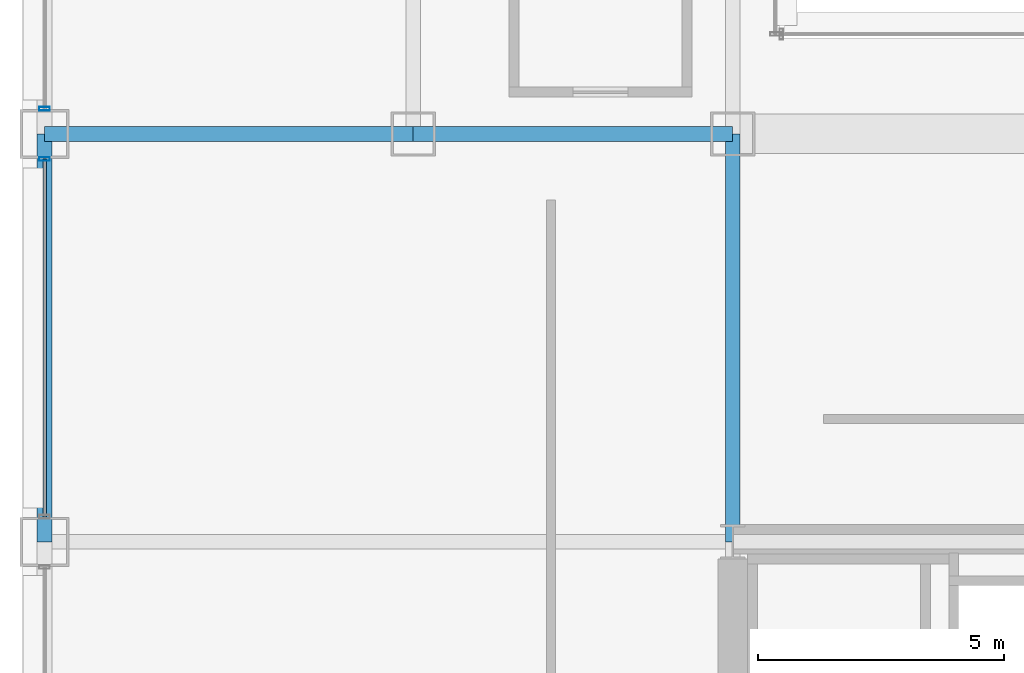
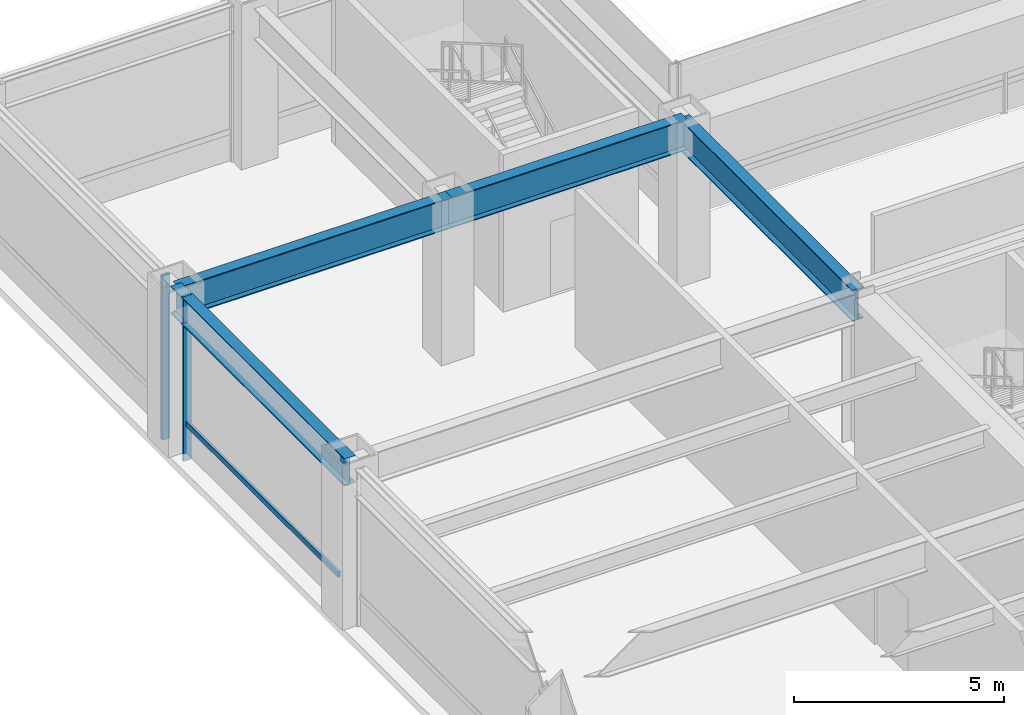
# One storey, part 15 of 37: 4 beams, 3 members, 2 elements without a shape of their own.
"""IFC4 building model written with IfcOpenShell, lengths in metres."""

import ifcopenshell
import ifcopenshell.guid

model = None  # the IFC model being written
_history = None  # IfcOwnerHistory: only IFC2X3 demands one
_inside = {}  # id of a spatial element -> (the spatial element, [elements in it])
_under = {}  # id of a project, library or spatial element -> (it, [spatial elements below it])
_declared = {}  # id of a project -> (the project, [libraries it declares])
_typed = {}  # id of a type object -> (the type object, [elements of that type])
_made_of = {}  # id of a material, layer set ... -> (it, [elements and type objects made of it])


def new_model(schema):
    """Start an empty IFC model of exactly this schema.

    Asked for "IFC4X3", IfcOpenShell would pick the latest addendum, in which some entities
    have other attributes; the version numbers below select the first issue.
    IFC2X3 requires an IfcOwnerHistory on every rooted entity: one is made here for all.
    """
    global model, _history
    if schema == "IFC4X3":
        model = ifcopenshell.file(schema_version=(4, 3, 0, 0))
    else:
        model = ifcopenshell.file(schema=schema)
    _inside.clear()
    _under.clear()
    _declared.clear()
    _typed.clear()
    _made_of.clear()
    _history = None
    if model.schema == "IFC2X3":
        org = make("IfcOrganization", Name="unknown")
        user = make(
            "IfcPersonAndOrganization",
            ThePerson=make("IfcPerson", FamilyName="unknown"),
            TheOrganization=org,
        )
        app = make(
            "IfcApplication",
            ApplicationDeveloper=org,
            Version="unknown",
            ApplicationFullName="unknown",
            ApplicationIdentifier="unknown",
        )
        _history = make(
            "IfcOwnerHistory",
            OwningUser=user,
            OwningApplication=app,
            ChangeAction="ADDED",
            CreationDate=0,
        )
    return model


def make(cls, **values):
    """One entity of the class cls with the attributes given. An attribute that is None is left unset."""
    return model.create_entity(
        cls, **{name: value for name, value in values.items() if value is not None}
    )


def rooted(cls, **values):
    """An entity with a GlobalId (a new one), such as an element, a storey or a relation."""
    return make(cls, GlobalId=ifcopenshell.guid.new(), OwnerHistory=_history, **values)


def si_unit(unit_type, name, prefix=None):
    """IfcSIUnit, for example si_unit("LENGTHUNIT", "METRE", prefix="MILLI")."""
    return make("IfcSIUnit", UnitType=unit_type, Prefix=prefix, Name=name)


def assignment(units):
    """IfcUnitAssignment: the units of a project."""
    return None if units is None else make("IfcUnitAssignment", Units=units)


def point(xyz):
    """IfcCartesianPoint."""
    return None if xyz is None else make("IfcCartesianPoint", Coordinates=xyz)


def direction(xyz):
    """IfcDirection."""
    return None if xyz is None else make("IfcDirection", DirectionRatios=xyz)


def frame(location, z_axis=None, x_axis=None):
    """IfcAxis2Placement3D, a coordinate frame: its origin and axes. An axis left out is left unset."""
    return make(
        "IfcAxis2Placement3D",
        Location=point(location),
        Axis=direction(z_axis),
        RefDirection=direction(x_axis),
    )


def frame_2d(location, x_axis=None):
    """IfcAxis2Placement2D, a coordinate frame in the plane: its origin and x axis."""
    return make(
        "IfcAxis2Placement2D", Location=point(location), RefDirection=direction(x_axis)
    )


def origin():
    """The frame at (0, 0, 0) with its axes left unset."""
    return frame((0.0, 0.0, 0.0))


def origin_2d():
    """The frame at (0, 0) in the plane with its x axis left unset."""
    return frame_2d((0.0, 0.0))


def place(relative_to, where):
    """IfcLocalPlacement: puts the frame where relative to a parent placement (None: the world)."""
    return make(
        "IfcLocalPlacement", PlacementRelTo=relative_to, RelativePlacement=where
    )


def context(
    kind, dimensions, precision=None, world=None, true_north=None, identifier=None
):
    """IfcGeometricRepresentationContext, for example the 3D "Model" context."""
    return make(
        "IfcGeometricRepresentationContext",
        ContextIdentifier=identifier,
        ContextType=kind,
        CoordinateSpaceDimension=dimensions,
        Precision=precision,
        WorldCoordinateSystem=world,
        TrueNorth=true_north,
    )


def subcontext(parent, identifier, kind, view, scale=None):
    """IfcGeometricRepresentationSubContext, for example "Body" below "Model"."""
    return make(
        "IfcGeometricRepresentationSubContext",
        ContextIdentifier=identifier,
        ContextType=kind,
        ParentContext=parent,
        TargetScale=scale,
        TargetView=view,
    )


def project(units=None, contexts=None):
    """IfcProject with its units and contexts."""
    return rooted(
        "IfcProject",
        Name="project",
        RepresentationContexts=contexts,
        UnitsInContext=assignment(units),
    )


def spatial(cls, under=None, at=None, **own):
    """A site, building, storey or space (cls), placed at a placement, below another one or the project."""
    s = rooted(cls, ObjectPlacement=at, **own)
    if under is not None:
        _under.setdefault(under.id(), (under, []))[1].append(s)
    return s


def profile(cls, at=None, kind="AREA", **sizes):
    """A parametric profile (cls). Its sizes go by their IFC names, for example OverallWidth=200.0."""
    return make(cls, ProfileType=kind, Position=at, **sizes)


def hollow_rectangle(**sizes):
    """IfcRectangleHollowProfileDef."""
    return profile("IfcRectangleHollowProfileDef", **sizes)


def i_section(**sizes):
    """IfcIShapeProfileDef."""
    return profile("IfcIShapeProfileDef", **sizes)


def extrude(swept, where, along, depth):
    """IfcExtrudedAreaSolid: the profile swept, set in the frame where, extruded along a direction by depth."""
    return make(
        "IfcExtrudedAreaSolid",
        SweptArea=swept,
        Position=where,
        ExtrudedDirection=direction(along),
        Depth=depth,
    )


def shape(context_of_items, identifier, shape_type, items):
    """IfcShapeRepresentation: the items that make up one representation, for example the "Body"."""
    return make(
        "IfcShapeRepresentation",
        ContextOfItems=context_of_items,
        RepresentationIdentifier=identifier,
        RepresentationType=shape_type,
        Items=items,
    )


def material(Name=None, Category=None):
    """IfcMaterial."""
    return make("IfcMaterial", Name=Name, Category=Category)


def layer(
    of_material, thickness, ventilated=None, Name=None, Category=None, Priority=None
):
    """IfcMaterialLayer: one layer of a wall or slab, of a material (None: an air gap)."""
    return make(
        "IfcMaterialLayer",
        Material=of_material,
        LayerThickness=thickness,
        IsVentilated=ventilated,
        Name=Name,
        Category=Category,
        Priority=Priority,
    )


def layer_set(layers, Name=None):
    """IfcMaterialLayerSet."""
    return make("IfcMaterialLayerSet", MaterialLayers=layers, LayerSetName=Name)


def material_profile(
    of_material, cross_section, Name=None, Category=None, Priority=None
):
    """IfcMaterialProfile: a cross section and its material."""
    return make(
        "IfcMaterialProfile",
        Name=Name,
        Material=of_material,
        Profile=cross_section,
        Priority=Priority,
        Category=Category,
    )


def profile_set(profiles, Name=None, composite=None):
    """IfcMaterialProfileSet."""
    return make(
        "IfcMaterialProfileSet",
        Name=Name,
        MaterialProfiles=profiles,
        CompositeProfile=composite,
    )


def made_of(thing, what):
    """Note that an element or type object is made of a material, layer set ...; save() writes the relation."""
    if what is not None:
        _made_of.setdefault(what.id(), (what, []))[1].append(thing)
    return thing


def type_object(cls, material=None, **own):
    """A type object (cls), such as IfcWallType, which elements share."""
    return made_of(rooted(cls, **own), material)


def element(
    cls,
    number,
    at=None,
    inside=None,
    cuts=None,
    type_object=None,
    material=None,
    context=None,
    identifier="Body",
    shape_type=None,
    held_by="IfcProductDefinitionShape",
    body=None,
    shapes=None,
    **own,
):
    """One element of the class cls, such as IfcWall. Its Tag is "e" and its number.

    at: its placement. inside: the storey or other place that contains it. cuts: it is an
    opening in that element (IfcRelVoidsElement). A single representation is given by context,
    identifier, shape_type and body (its items); several are given by shapes. held_by: the class
    of the entity that holds the representations. save() writes the other relations.
    """
    e = rooted(cls, Tag="e%d" % number, ObjectPlacement=at, **own)
    if body is not None:
        shapes = [shape(context, identifier, shape_type, body)]
    if shapes is not None:
        e.Representation = make(held_by, Representations=shapes)
    if inside is not None:
        _inside.setdefault(inside.id(), (inside, []))[1].append(e)
    if cuts is not None:
        rooted(
            "IfcRelVoidsElement", RelatingBuildingElement=cuts, RelatedOpeningElement=e
        )
    if type_object is not None:
        _typed.setdefault(type_object.id(), (type_object, []))[1].append(e)
    return made_of(e, material)


def aggregate(whole, parts):
    """IfcRelAggregates: a whole, such as a stair, and the parts it consists of."""
    return rooted("IfcRelAggregates", RelatingObject=whole, RelatedObjects=parts)


def save(model, path):
    """Write the relations noted so far, then the file.

    IfcRelAggregates (storeys below a building ...), IfcRelContainedInSpatialStructure (elements
    in a storey), IfcRelDefinesByType, IfcRelAssociatesMaterial and IfcRelDeclares: one each for
    every whole, place, type object, material and project.
    """
    for whole, parts in _under.values():
        aggregate(whole, parts)
    for where, things in _inside.values():
        rooted(
            "IfcRelContainedInSpatialStructure",
            RelatedElements=things,
            RelatingStructure=where,
        )
    for kind, things in _typed.values():
        rooted("IfcRelDefinesByType", RelatedObjects=things, RelatingType=kind)
    for what, things in _made_of.values():
        rooted("IfcRelAssociatesMaterial", RelatedObjects=things, RelatingMaterial=what)
    for by, libraries in _declared.values():
        rooted("IfcRelDeclares", RelatingContext=by, RelatedDefinitions=libraries)
    model.write(path)


model = new_model("IFC4")

# Units and contexts
model_context = context("Model", 3, precision=1e-05, world=origin(), true_north=direction((0.0, 1.0)))
body_context = subcontext(model_context, "Body", "Model", "MODEL_VIEW")
ifc_project = project(units=[si_unit("LENGTHUNIT", "METRE"), si_unit("AREAUNIT", "SQUARE_METRE"), si_unit("VOLUMEUNIT", "CUBIC_METRE"), si_unit("PLANEANGLEUNIT", "RADIAN"), si_unit("MASSUNIT", "GRAM", prefix="KILO")], contexts=[model_context])

# Site, building, storey
site_placement = place(None, origin())
site = spatial("IfcSite", under=ifc_project, at=site_placement, CompositionType="ELEMENT")
building_placement = place(site_placement, origin())
building = spatial("IfcBuilding", under=site, at=building_placement, Name="Brelmoor Portico Tower", CompositionType="ELEMENT")
storey_placement = place(building_placement, frame((0.0, 0.0, 14.39990234375)))
storey = spatial("IfcBuildingStorey", under=building, at=storey_placement, Name="L03", CompositionType="ELEMENT", Elevation=14.39990234375)

# Beams
ifc_material_1 = material(Name="Steel Q355B", Category="steel")
ifc_material_profile_1 = material_profile(ifc_material_1, i_section(OverallWidth=0.300048828125, OverallDepth=0.89990234375, WebThickness=0.01611328125, FlangeThickness=0.028076171875, at=origin_2d()), Name="HN 900x300x16x28")
ifc_profile_set_1 = profile_set([ifc_material_profile_1], Name="Steel Q355B")
beam_type_1 = type_object("IfcBeamType", Name="BM-PG-900", PredefinedType="BEAM", material=ifc_profile_set_1)
beam_1_placement = place(storey_placement, frame((-14.550048828125, 9.75, 4.130126953125), z_axis=(0.0, 1.0, 0.0), x_axis=(-1.0, 0.0, 0.0)))
element("IfcBeam", 1, at=beam_1_placement, inside=storey, type_object=beam_type_1, Name="L03 Primary Floor Girder PG-08", PredefinedType="BEAM", context=body_context, shape_type="SweptSolid", body=[
    extrude(i_section(OverallWidth=0.300048828125, OverallDepth=0.89990234375, WebThickness=0.01611328125, FlangeThickness=0.028076171875, at=origin_2d()), origin(), (0.0, 0.0, 1.0), 8.300048828125),
])
beam_2_placement = place(storey_placement, frame((-28.550048828125, 18.050048828125, 4.130126953125), z_axis=(1.0, 0.0, 0.0), x_axis=(0.0, 1.0, 0.0)))
element("IfcBeam", 2, at=beam_2_placement, inside=storey, type_object=beam_type_1, Name="L03 Primary Floor Girder PG-40", PredefinedType="BEAM", context=body_context, shape_type="SweptSolid", body=[
    extrude(i_section(OverallWidth=0.300048828125, OverallDepth=0.89990234375, WebThickness=0.01611328125, FlangeThickness=0.028076171875, at=origin_2d()), origin(), (0.0, 0.0, 1.0), 7.5),
])
beam_3_placement = place(storey_placement, frame((-21.050048828125, 18.050048828125, 4.130126953125), z_axis=(1.0, 0.0, 0.0), x_axis=(0.0, 1.0, 0.0)))
element("IfcBeam", 3, at=beam_3_placement, inside=storey, type_object=beam_type_1, Name="L03 Primary Floor Girder PG-41", PredefinedType="BEAM", context=body_context, shape_type="SweptSolid", body=[
    extrude(i_section(OverallWidth=0.300048828125, OverallDepth=0.89990234375, WebThickness=0.01611328125, FlangeThickness=0.028076171875, at=origin_2d()), origin(), (0.0, 0.0, 1.0), 6.5),
])
ifc_material_profile_2 = material_profile(ifc_material_1, i_section(OverallWidth=0.300048828125, OverallDepth=0.800048828125, WebThickness=0.013916015625, FlangeThickness=0.02587890625, at=origin_2d()), Name="HN 800x300x14x26")
ifc_profile_set_2 = profile_set([ifc_material_profile_2], Name="Steel Q355B")
beam_type_2 = type_object("IfcBeamType", Name="BM-SP-800", PredefinedType="SPANDREL", material=ifc_profile_set_2)
beam_4_placement = place(storey_placement, frame((-28.550048828125, 9.75, 4.18017578125), z_axis=(0.0, 1.0, 0.0), x_axis=(-1.0, 0.0, 0.0)))
element("IfcBeam", 4, at=beam_4_placement, inside=storey, type_object=beam_type_2, Name="L03 Perimeter Spandrel Beam SP-15", PredefinedType="SPANDREL", context=body_context, shape_type="SweptSolid", body=[
    extrude(i_section(OverallWidth=0.300048828125, OverallDepth=0.800048828125, WebThickness=0.013916015625, FlangeThickness=0.02587890625, at=origin_2d()), origin(), (0.0, 0.0, 1.0), 8.300048828125),
])

# Curtain wall, member
ifc_material_2 = material(Name="Anodised Aluminium Alloy 6063-T6", Category="aluminium")
ifc_layer = layer(ifc_material_2, 0.179931640625)
ifc_layer_set = layer_set([ifc_layer], Name="Anodised Aluminium Alloy 6063-T6")
curtain_wall_type = type_object("IfcCurtainWallType", Name="CW-PODIUM-ARCH", PredefinedType="NOTDEFINED", material=ifc_layer_set)
curtain_wall_1_placement = place(storey_placement, origin())
curtain_wall_1 = element("IfcCurtainWall", 5, at=curtain_wall_1_placement, inside=storey, type_object=curtain_wall_type, Name="L03 Curtain Wall CW-L03-11-5", PredefinedType="NOTDEFINED")
ifc_material_profile_3 = material_profile(ifc_material_2, hollow_rectangle(XDim=0.074951171875, YDim=0.219970703125, WallThickness=0.0048828125, at=origin_2d()), Name="ALU MULLION 75x220")
ifc_profile_set_3 = profile_set([ifc_material_profile_3], Name="Anodised Aluminium Alloy 6063-T6")
member_type_1 = type_object("IfcMemberType", Name="MB-CW-MULL-220", PredefinedType="MULLION", material=ifc_profile_set_3)
member_1_placement = place(storey_placement, frame((-28.550048828125, 17.5400390625, -0.219970703125), z_axis=(0.0, 0.0, 1.0), x_axis=(0.0, 1.0, 0.0)))
member_1 = element("IfcMember", 6, at=member_1_placement, type_object=member_type_1, Name="CW-L03-11-5 Mullion 01", PredefinedType="MULLION", context=body_context, shape_type="SweptSolid", body=[
    extrude(hollow_rectangle(XDim=0.074951171875, YDim=0.219970703125, WallThickness=0.0048828125, at=origin_2d()), origin(), (0.0, 0.0, 1.0), 4.800048828125),
])

curtain_wall_2_placement = place(storey_placement, origin())
curtain_wall_2 = element("IfcCurtainWall", 7, at=curtain_wall_2_placement, inside=storey, type_object=curtain_wall_type, Name="L03 Curtain Wall CW-L03-11-6", PredefinedType="NOTDEFINED")
member_2_placement = place(storey_placement, frame((-28.550048828125, 18.56005859375, -0.219970703125), z_axis=(0.0, 0.0, 1.0), x_axis=(0.0, 1.0, 0.0)))
member_2 = element("IfcMember", 8, at=member_2_placement, type_object=member_type_1, Name="CW-L03-11-6 Mullion 00", PredefinedType="MULLION", context=body_context, shape_type="SweptSolid", body=[
    extrude(hollow_rectangle(XDim=0.074951171875, YDim=0.219970703125, WallThickness=0.0048828125, at=origin_2d()), origin(), (0.0, 0.0, 1.0), 4.800048828125),
])
aggregate(curtain_wall_2, [member_2])

# Member
ifc_material_profile_4 = material_profile(ifc_material_2, hollow_rectangle(XDim=0.070068359375, YDim=0.159912109375, WallThickness=0.00390625, at=origin_2d()), Name="ALU TRANSOM 70x160")
ifc_profile_set_4 = profile_set([ifc_material_profile_4], Name="Anodised Aluminium Alloy 6063-T6")
member_type_2 = type_object("IfcMemberType", Name="MB-CW-TRAN-160", PredefinedType="USERDEFINED", material=ifc_profile_set_4)
member_3_placement = place(storey_placement, frame((-28.550048828125, 10.260009765625, 0.85009765625), z_axis=(0.0, 1.0, 0.0), x_axis=(-1.0, 0.0, 0.0)))
member_3 = element("IfcMember", 9, at=member_3_placement, type_object=member_type_2, Name="CW-L03-11-5 Transom 1-00", ObjectType="TRANSOM", PredefinedType="USERDEFINED", context=body_context, shape_type="SweptSolid", body=[
    extrude(hollow_rectangle(XDim=0.070068359375, YDim=0.159912109375, WallThickness=0.00390625, at=origin_2d()), origin(), (0.0, 0.0, 1.0), 7.280029296875),
])

aggregate(curtain_wall_1, [member_1, member_3])

save(model, "model.ifc")
